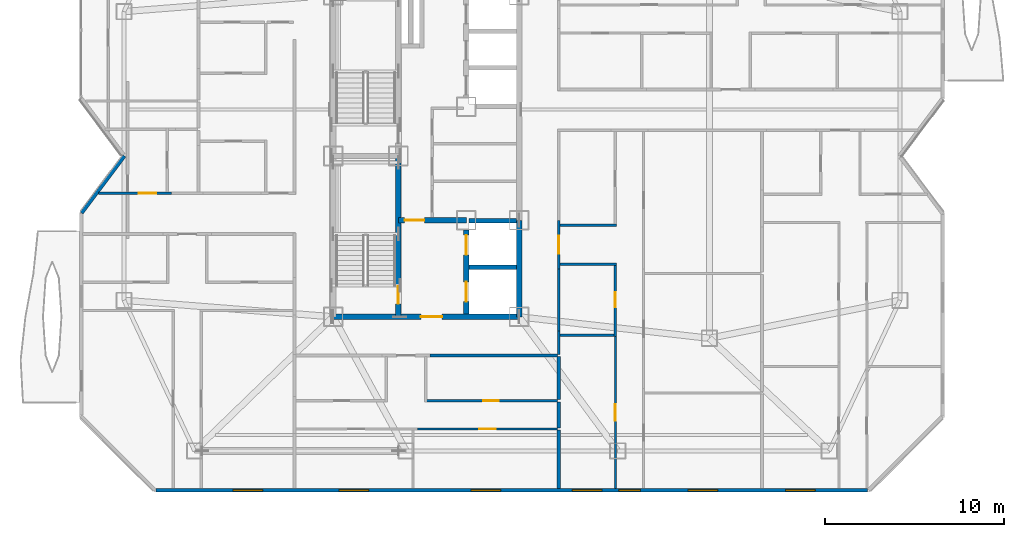
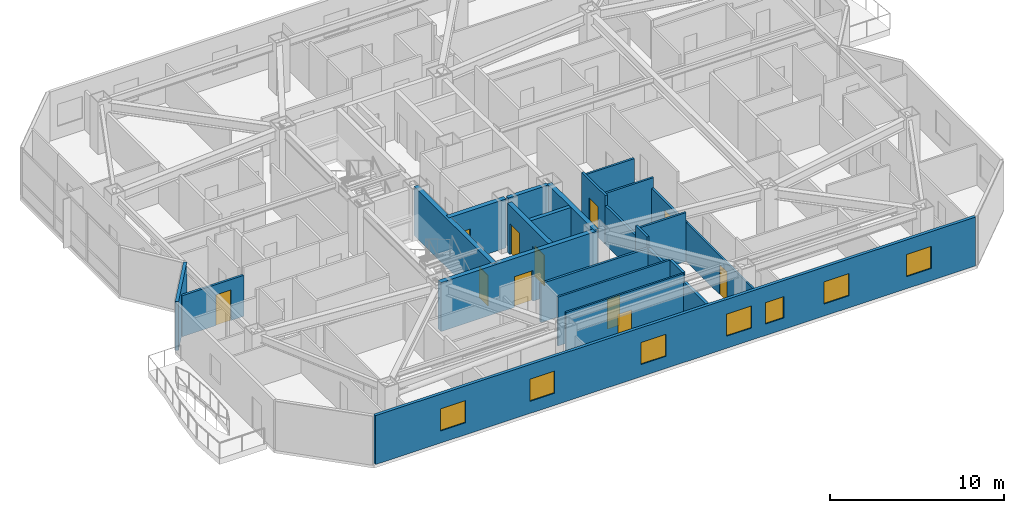
# One storey, part 12 of 18: 24 walls, 11 doors, 7 windows, 18 openings.
"""IFC4 building model written with IfcOpenShell, lengths in metres."""

from ifc_helpers import new_model, si_unit, direction, frame, frame_2d, origin, place, context, subcontext, project, spatial, rectangle, extrude, material, layer, layer_set, type_object, element, fill, save


model = new_model("IFC4")

# Units and contexts
model_context = context("Model", 3, precision=1e-05, world=origin(), true_north=direction((0.0, 1.0)))
body_context = subcontext(model_context, "Body", "Model", "MODEL_VIEW")
ifc_project = project(units=[si_unit("LENGTHUNIT", "METRE"), si_unit("AREAUNIT", "SQUARE_METRE"), si_unit("VOLUMEUNIT", "CUBIC_METRE"), si_unit("PLANEANGLEUNIT", "RADIAN"), si_unit("MASSUNIT", "GRAM", prefix="KILO")], contexts=[model_context])

# Site, building, storey
site_placement = place(None, origin())
site = spatial("IfcSite", under=ifc_project, at=site_placement, CompositionType="ELEMENT")
building_placement = place(site_placement, origin())
building = spatial("IfcBuilding", under=site, at=building_placement, Name="Khamvora Tower", CompositionType="ELEMENT")
storey_placement = place(building_placement, frame((0.0, 0.0, 181.449951171875)))
storey = spatial("IfcBuildingStorey", under=building, at=storey_placement, Name="L46", CompositionType="ELEMENT", Elevation=181.449951171875)

# Wall, opening, door
ifc_material_1 = material(Name="Concrete C50/60", Category="concrete")
ifc_layer_1 = layer(ifc_material_1, 0.300048828125)
ifc_layer_set_1 = layer_set([ifc_layer_1], Name="Concrete C50/60")
wall_type_1 = type_object("IfcWallType", Name="WAL-CORE-300", PredefinedType="SHEAR", material=ifc_layer_set_1)
wall_1_placement = place(storey_placement, frame((29.0, 19.0, 0.0), z_axis=(0.0, 0.0, 1.0), x_axis=(1.0, 0.0, 0.0)))
wall_1 = element("IfcWall", 1, at=wall_1_placement, inside=storey, type_object=wall_type_1, Name="L46 central core south wall", PredefinedType="SHEAR", context=body_context, shape_type="SweptSolid", body=[
    extrude(rectangle(XDim=10.39990234375, YDim=0.300048828125, at=frame_2d((5.199951171875, 0.0))), origin(), (0.0, 0.0, 1.0), 3.429931640625),
])
opening_1_placement = place(wall_1_placement, frame((4.89990234375, 0.0, 0.0)))
opening_1 = element("IfcOpeningElement", 2, at=opening_1_placement, cuts=wall_1, Name="Opening D-CR1", PredefinedType="OPENING", context=body_context, shape_type="SweptSolid", body=[
    extrude(rectangle(XDim=1.199951171875, YDim=2.14990234375, at=frame_2d((0.60009765625, 1.074951171875))), frame((0.0, 0.159912109375, 0.0), z_axis=(0.0, -1.0, 0.0), x_axis=(1.0, 0.0, 0.0)), (0.0, 0.0, 1.0), 0.320068359375),
])
ifc_material_2 = material(Name="Powder-Coated Steel and Hardwood Leaf", Category="steel")
door_type_1 = type_object("IfcDoorType", Name="DOR-CORR-1200", OperationType="NOTDEFINED", PredefinedType="DOOR", material=ifc_material_2)
door_1_placement = place(opening_1_placement, origin())
door_1 = element("IfcDoor", 3, at=door_1_placement, inside=storey, type_object=door_type_1, Name="L46 south core lobby to corridor fire door", OperationType="SINGLE_SWING_LEFT", OverallHeight=2.14990234375, OverallWidth=1.199951171875, PredefinedType="DOOR", context=body_context, shape_type="SweptSolid", body=[
    extrude(rectangle(XDim=1.199951171875, YDim=2.14990234375, at=frame_2d((0.60009765625, 1.074951171875))), frame((0.0, 0.02490234375, 0.0), z_axis=(0.0, -1.0, 0.0), x_axis=(1.0, 0.0, 0.0)), (0.0, 0.0, 1.0), 0.050048828125),
])
fill(opening_1, door_1)

# Wall
wall_2_placement = place(storey_placement, frame((39.39990234375, 19.0, 0.0), z_axis=(0.0, 0.0, 1.0), x_axis=(0.0, 1.0, 0.0)))
element("IfcWall", 4, at=wall_2_placement, inside=storey, type_object=wall_type_1, Name="L46 central core east south wall", PredefinedType="SHEAR", context=body_context, shape_type="SweptSolid", body=[
    extrude(rectangle(XDim=5.39990234375, YDim=0.300048828125, at=frame_2d((2.699951171875, 0.0))), origin(), (0.0, 0.0, 1.0), 3.429931640625),
])

# Wall, opening, door
wall_3_placement = place(storey_placement, frame((32.64990234375, 19.0, 0.0), z_axis=(0.0, 0.0, 1.0), x_axis=(0.0, 1.0, 0.0)))
wall_3 = element("IfcWall", 5, at=wall_3_placement, inside=storey, type_object=wall_type_1, Name="L46 central core stair south spine wall", PredefinedType="SHEAR", context=body_context, shape_type="SweptSolid", body=[
    extrude(rectangle(XDim=9.0, YDim=0.300048828125, at=frame_2d((4.5, 0.0))), origin(), (0.0, 0.0, 1.0), 3.429931640625),
])
opening_2_placement = place(wall_3_placement, frame((0.719970703125, 0.0, 0.0)))
opening_2 = element("IfcOpeningElement", 6, at=opening_2_placement, cuts=wall_3, Name="Opening D-ST1", PredefinedType="OPENING", context=body_context, shape_type="SweptSolid", body=[
    extrude(rectangle(XDim=1.0, YDim=2.14990234375, at=frame_2d((0.5, 1.074951171875))), frame((0.0, 0.159912109375, 0.0), z_axis=(0.0, -1.0, 0.0), x_axis=(1.0, 0.0, 0.0)), (0.0, 0.0, 1.0), 0.320068359375),
])
door_type_2 = type_object("IfcDoorType", Name="DOR-STAIR-1000", OperationType="NOTDEFINED", PredefinedType="DOOR", material=ifc_material_2)
door_2_placement = place(opening_2_placement, origin())
door_2 = element("IfcDoor", 7, at=door_2_placement, inside=storey, type_object=door_type_2, Name="L46 exit stair ST-01 fire door", OperationType="SINGLE_SWING_RIGHT", OverallHeight=2.14990234375, OverallWidth=1.0, PredefinedType="DOOR", context=body_context, shape_type="SweptSolid", body=[
    extrude(rectangle(XDim=1.0, YDim=2.14990234375, at=frame_2d((0.5, 1.074951171875))), frame((0.0, 0.02490234375, 0.0), z_axis=(0.0, -1.0, 0.0), x_axis=(1.0, 0.0, 0.0)), (0.0, 0.0, 1.0), 0.050048828125),
])
fill(opening_2, door_2)

wall_4_placement = place(storey_placement, frame((32.64990234375, 24.39990234375, 0.0), z_axis=(0.0, 0.0, 1.0), x_axis=(1.0, 0.0, 0.0)))
wall_4 = element("IfcWall", 8, at=wall_4_placement, inside=storey, type_object=wall_type_1, Name="L46 central core firefighting lobby north wall", PredefinedType="SHEAR", context=body_context, shape_type="SweptSolid", body=[
    extrude(rectangle(XDim=3.800048828125, YDim=0.300048828125, at=frame_2d((1.89990234375, 0.0))), origin(), (0.0, 0.0, 1.0), 3.429931640625),
])
opening_3_placement = place(wall_4_placement, frame((0.35009765625, 0.0, 0.0)))
opening_3 = element("IfcOpeningElement", 9, at=opening_3_placement, cuts=wall_4, Name="Opening D-FF1", PredefinedType="OPENING", context=body_context, shape_type="SweptSolid", body=[
    extrude(rectangle(XDim=1.10009765625, YDim=2.14990234375, at=frame_2d((0.550048828125, 1.074951171875))), frame((0.0, 0.159912109375, 0.0), z_axis=(0.0, -1.0, 0.0), x_axis=(1.0, 0.0, 0.0)), (0.0, 0.0, 1.0), 0.320068359375),
])
door_type_3 = type_object("IfcDoorType", Name="DOR-FFLOB-1100", OperationType="NOTDEFINED", PredefinedType="DOOR", material=ifc_material_2)
door_3_placement = place(opening_3_placement, origin())
door_3 = element("IfcDoor", 10, at=door_3_placement, inside=storey, type_object=door_type_3, Name="L46 firefighting lobby smoke-seal fire door", OperationType="SINGLE_SWING_RIGHT", OverallHeight=2.14990234375, OverallWidth=1.10009765625, PredefinedType="DOOR", context=body_context, shape_type="SweptSolid", body=[
    extrude(rectangle(XDim=1.10009765625, YDim=2.14990234375, at=frame_2d((0.550048828125, 1.074951171875))), frame((0.0, 0.02490234375, 0.0), z_axis=(0.0, -1.0, 0.0), x_axis=(1.0, 0.0, 0.0)), (0.0, 0.0, 1.0), 0.050048828125),
])
fill(opening_3, door_3)

# Wall, openings, doors
wall_5_placement = place(storey_placement, frame((36.449951171875, 19.154052734375, 0.0), z_axis=(0.0, 0.0, 1.0), x_axis=(0.0, 1.0, 0.0)))
wall_5 = element("IfcWall", 11, at=wall_5_placement, inside=storey, type_object=wall_type_1, Name="L46 central core lift bank south wall", PredefinedType="SHEAR", context=body_context, shape_type="SweptSolid", body=[
    extrude(rectangle(XDim=4.696044921875, YDim=0.300048828125, at=frame_2d((2.34814453125, 0.0))), origin(), (0.0, 0.0, 1.0), 3.429931640625),
])
opening_4_placement = place(wall_5_placement, frame((0.696044921875, 0.0, 0.0)))
opening_4 = element("IfcOpeningElement", 12, at=opening_4_placement, cuts=wall_5, Name="Opening LD-FFL", PredefinedType="OPENING", context=body_context, shape_type="SweptSolid", body=[
    extrude(rectangle(XDim=1.10009765625, YDim=2.14990234375, at=frame_2d((0.550048828125, 1.074951171875))), frame((0.0, 0.159912109375, 0.0), z_axis=(0.0, -1.0, 0.0), x_axis=(1.0, 0.0, 0.0)), (0.0, 0.0, 1.0), 0.320068359375),
])
opening_5_placement = place(wall_5_placement, frame((3.31591796875, 0.0, 0.0)))
opening_5 = element("IfcOpeningElement", 13, at=opening_5_placement, cuts=wall_5, Name="Opening LD-FFL", PredefinedType="OPENING", context=body_context, shape_type="SweptSolid", body=[
    extrude(rectangle(XDim=1.10009765625, YDim=2.14990234375, at=frame_2d((0.550048828125, 1.074951171875))), frame((0.0, 0.159912109375, 0.0), z_axis=(0.0, -1.0, 0.0), x_axis=(1.0, 0.0, 0.0)), (0.0, 0.0, 1.0), 0.320068359375),
])
door_type_4 = type_object("IfcDoorType", Name="DOR-LIFT-1100", OperationType="SLIDING_TO_LEFT", PredefinedType="DOOR", material=ifc_material_2)
door_4_placement = place(opening_4_placement, origin())
door_4 = element("IfcDoor", 14, at=door_4_placement, inside=storey, type_object=door_type_4, Name="L46 lift landing sliding door FFL-01", OperationType="SLIDING_TO_LEFT", OverallHeight=2.14990234375, OverallWidth=1.10009765625, PredefinedType="DOOR", context=body_context, shape_type="SweptSolid", body=[
    extrude(rectangle(XDim=1.10009765625, YDim=2.14990234375, at=frame_2d((0.550048828125, 1.074951171875))), frame((0.0, 0.02490234375, 0.0), z_axis=(0.0, -1.0, 0.0), x_axis=(1.0, 0.0, 0.0)), (0.0, 0.0, 1.0), 0.050048828125),
])
fill(opening_4, door_4)
door_5_placement = place(opening_5_placement, origin())
door_5 = element("IfcDoor", 15, at=door_5_placement, inside=storey, type_object=door_type_4, Name="L46 lift landing sliding door FFL-02", OperationType="SLIDING_TO_LEFT", OverallHeight=2.14990234375, OverallWidth=1.10009765625, PredefinedType="DOOR", context=body_context, shape_type="SweptSolid", body=[
    extrude(rectangle(XDim=1.10009765625, YDim=2.14990234375, at=frame_2d((0.550048828125, 1.074951171875))), frame((0.0, 0.02490234375, 0.0), z_axis=(0.0, -1.0, 0.0), x_axis=(1.0, 0.0, 0.0)), (0.0, 0.0, 1.0), 0.050048828125),
])
fill(opening_5, door_5)

# Wall, opening, door
ifc_material_3 = material(Name="Fire-Rated Drywall and Steel Stud", Category="steel")
ifc_layer_2 = layer(ifc_material_3, 0.14990234375)
ifc_layer_set_2 = layer_set([ifc_layer_2], Name="Fire-Rated Drywall and Steel Stud")
wall_type_2 = type_object("IfcWallType", Name="WAL-CORR-150", PredefinedType="STANDARD", material=ifc_layer_set_2)
wall_6_placement = place(storey_placement, frame((15.8759765625, 25.9150390625, 0.0), z_axis=(0.0, 0.0, 1.0), x_axis=(1.0, 0.0, 0.0)))
wall_6 = element("IfcWall", 16, at=wall_6_placement, inside=storey, type_object=wall_type_2, Name="L46 interior partition wall 014", PredefinedType="STANDARD", context=body_context, shape_type="SweptSolid", body=[
    extrude(rectangle(XDim=4.089111328125, YDim=0.14990234375, at=frame_2d((2.04443359375, 0.0))), origin(), (0.0, 0.0, 1.0), 2.8759765625),
])
opening_6_placement = place(wall_6_placement, frame((2.239990234375, 0.0, 0.0)))
opening_6 = element("IfcOpeningElement", 17, at=opening_6_placement, cuts=wall_6, Name="Opening D-U1", PredefinedType="OPENING", context=body_context, shape_type="SweptSolid", body=[
    extrude(rectangle(XDim=1.0, YDim=2.14990234375, at=frame_2d((0.5, 1.074951171875))), frame((0.0, 0.0849609375, 0.0), z_axis=(0.0, -1.0, 0.0), x_axis=(1.0, 0.0, 0.0)), (0.0, 0.0, 1.0), 0.169921875),
])
door_type_5 = type_object("IfcDoorType", Name="DOR-UNIT-1000", OperationType="NOTDEFINED", PredefinedType="DOOR", material=ifc_material_2)
door_6_placement = place(opening_6_placement, origin())
door_6 = element("IfcDoor", 18, at=door_6_placement, inside=storey, type_object=door_type_5, Name="L46 interior door COR-46WBH", OperationType="SINGLE_SWING_RIGHT", OverallHeight=2.14990234375, OverallWidth=1.0, PredefinedType="DOOR", context=body_context, shape_type="SweptSolid", body=[
    extrude(rectangle(XDim=1.0, YDim=2.14990234375, at=frame_2d((0.5, 1.074951171875))), frame((0.0, 0.02490234375, 0.0), z_axis=(0.0, -1.0, 0.0), x_axis=(1.0, 0.0, 0.0)), (0.0, 0.0, 1.0), 0.050048828125),
])
fill(opening_6, door_6)

# Walls
wall_7_placement = place(storey_placement, frame((41.550048828125, 16.8349609375, 0.0), z_axis=(0.0, 0.0, 1.0), x_axis=(-1.0, 0.0, 0.0)))
element("IfcWall", 19, at=wall_7_placement, inside=storey, type_object=wall_type_2, Name="L46 interior partition wall 021", PredefinedType="STANDARD", context=body_context, shape_type="SweptSolid", body=[
    extrude(rectangle(XDim=7.1259765625, YDim=0.14990234375, at=frame_2d((3.56298828125, 0.0))), origin(), (0.0, 0.0, 1.0), 2.72509765625),
])
wall_8_placement = place(storey_placement, frame((41.614990234375, 18.218017578125, 0.0), z_axis=(0.0, 0.0, 1.0), x_axis=(0.0, -1.0, 0.0)))
element("IfcWall", 20, at=wall_8_placement, inside=storey, type_object=wall_type_2, Name="L46 interior partition wall 025", PredefinedType="STANDARD", context=body_context, shape_type="SweptSolid", body=[
    extrude(rectangle(XDim=1.318115234375, YDim=0.14990234375, at=frame_2d((0.6591796875, 0.0))), origin(), (0.0, 0.0, 1.0), 3.429931640625),
])

# Wall, opening, door
wall_9_placement = place(storey_placement, frame((41.614990234375, 24.383056640625, 0.0), z_axis=(0.0, 0.0, 1.0), x_axis=(0.0, -1.0, 0.0)))
wall_9 = element("IfcWall", 21, at=wall_9_placement, inside=storey, type_object=wall_type_2, Name="L46 interior partition wall 027", PredefinedType="STANDARD", context=body_context, shape_type="SweptSolid", body=[
    extrude(rectangle(XDim=2.697998046875, YDim=0.14990234375, at=frame_2d((1.34912109375, 0.0))), origin(), (0.0, 0.0, 1.0), 3.429931640625),
])
opening_7_placement = place(wall_9_placement, frame((0.84912109375, 0.0, 0.0)))
opening_7 = element("IfcOpeningElement", 22, at=opening_7_placement, cuts=wall_9, Name="Opening D-U1", PredefinedType="OPENING", context=body_context, shape_type="SweptSolid", body=[
    extrude(rectangle(XDim=1.0, YDim=2.14990234375, at=frame_2d((0.5, 1.074951171875))), frame((0.0, 0.0849609375, 0.0), z_axis=(0.0, -1.0, 0.0), x_axis=(1.0, 0.0, 0.0)), (0.0, 0.0, 1.0), 0.169921875),
])
door_7_placement = place(opening_7_placement, origin())
door_7 = element("IfcDoor", 23, at=door_7_placement, inside=storey, type_object=door_type_5, Name="L46 interior door COR-46EAH", OperationType="SINGLE_SWING_RIGHT", OverallHeight=2.14990234375, OverallWidth=1.0, PredefinedType="DOOR", context=body_context, shape_type="SweptSolid", body=[
    extrude(rectangle(XDim=1.0, YDim=2.14990234375, at=frame_2d((0.5, 1.074951171875))), frame((0.0, 0.02490234375, 0.0), z_axis=(0.0, -1.0, 0.0), x_axis=(1.0, 0.0, 0.0)), (0.0, 0.0, 1.0), 0.050048828125),
])
fill(opening_7, door_7)

# Walls
wall_10_placement = place(storey_placement, frame((41.614990234375, 21.68505859375, 0.0), z_axis=(0.0, 0.0, 1.0), x_axis=(0.0, -1.0, 0.0)))
element("IfcWall", 24, at=wall_10_placement, inside=storey, type_object=wall_type_2, Name="L46 interior partition wall 028", PredefinedType="STANDARD", context=body_context, shape_type="SweptSolid", body=[
    extrude(rectangle(XDim=3.467041015625, YDim=0.14990234375, at=frame_2d((1.7333984375, 0.0))), origin(), (0.0, 0.0, 1.0), 2.72509765625),
])
ifc_material_4 = material(Name="Acoustic Double-Stud Fire Wall", Category="gypsum")
ifc_layer_3 = layer(ifc_material_4, 0.179931640625)
ifc_layer_set_3 = layer_set([ifc_layer_3], Name="Acoustic Double-Stud Fire Wall")
wall_type_3 = type_object("IfcWallType", Name="WAL-CORR-180", PredefinedType="STANDARD", material=ifc_layer_set_3)
wall_11_placement = place(storey_placement, frame((41.614990234375, 14.239990234375, 0.0), z_axis=(0.0, 0.0, 1.0), x_axis=(0.0, -1.0, 0.0)))
element("IfcWall", 25, at=wall_11_placement, inside=storey, type_object=wall_type_3, Name="L46 interior partition wall 085", PredefinedType="STANDARD", context=body_context, shape_type="SweptSolid", body=[
    extrude(rectangle(XDim=1.449951171875, YDim=0.179931640625, at=frame_2d((0.72509765625, 0.0))), origin(), (0.0, 0.0, 1.0), 3.429931640625),
])
wall_12_placement = place(storey_placement, frame((41.614990234375, 16.77001953125, 0.0), z_axis=(0.0, 0.0, 1.0), x_axis=(0.0, -1.0, 0.0)))
element("IfcWall", 26, at=wall_12_placement, inside=storey, type_object=wall_type_3, Name="L46 interior partition wall 086", PredefinedType="STANDARD", context=body_context, shape_type="SweptSolid", body=[
    extrude(rectangle(XDim=2.39990234375, YDim=0.179931640625, at=frame_2d((1.199951171875, 0.0))), origin(), (0.0, 0.0, 1.0), 2.72509765625),
])
wall_13_placement = place(storey_placement, frame((41.614990234375, 12.659912109375, 0.0), z_axis=(0.0, 0.0, 1.0), x_axis=(0.0, -1.0, 0.0)))
element("IfcWall", 27, at=wall_13_placement, inside=storey, type_object=wall_type_3, Name="L46 interior partition wall 088", PredefinedType="STANDARD", context=body_context, shape_type="SweptSolid", body=[
    extrude(rectangle(XDim=3.267822265625, YDim=0.179931640625, at=frame_2d((1.6337890625, 0.0))), origin(), (0.0, 0.0, 1.0), 2.8759765625),
])
ifc_material_5 = material(Name="Precast concrete C40/50", Category="concrete")
ifc_layer_4 = layer(ifc_material_5, 0.199951171875)
ifc_layer_set_4 = layer_set([ifc_layer_4], Name="Precast concrete C40/50")
wall_type_4 = type_object("IfcWallType", Name="WAL-EXT-200", PredefinedType="STANDARD", material=ifc_layer_set_4)
wall_14_placement = place(storey_placement, frame((14.929931640625, 24.806884765625, 0.0), z_axis=(0.0, 0.0, 1.0), x_axis=(0.600029358831, 0.799977980035, 0.0)))
element("IfcWall", 28, at=wall_14_placement, inside=storey, type_object=wall_type_4, Name="L46 exterior facade wall 03.1", PredefinedType="STANDARD", context=body_context, shape_type="SweptSolid", body=[
    extrude(rectangle(XDim=3.991455078125, YDim=0.199951171875, at=frame_2d((1.99560546875, 0.0))), origin(), (0.0, 0.0, 1.0), 3.429931640625),
])

# Wall, openings, windows
wall_15_placement = place(storey_placement, frame((58.89599609375, 9.300048828125, 0.0), z_axis=(0.0, 0.0, 1.0), x_axis=(-1.0, 0.0, 0.0)))
wall_15 = element("IfcWall", 29, at=wall_15_placement, inside=storey, type_object=wall_type_4, Name="L46 exterior facade wall 14.1", PredefinedType="STANDARD", context=body_context, shape_type="SweptSolid", body=[
    extrude(rectangle(XDim=39.79296875, YDim=0.199951171875, at=frame_2d((19.896484375, 0.0))), origin(), (0.0, 0.0, 1.0), 3.429931640625),
])
opening_8_placement = place(wall_15_placement, frame((33.841064453125, 0.0, 0.85009765625)))
opening_8 = element("IfcOpeningElement", 30, at=opening_8_placement, cuts=wall_15, Name="Opening WN-06", PredefinedType="OPENING", context=body_context, shape_type="SweptSolid", body=[
    extrude(rectangle(XDim=1.64990234375, YDim=1.550048828125, at=frame_2d((0.824951171875, 0.77490234375))), frame((0.0, 0.10986328125, 0.0), z_axis=(0.0, -1.0, 0.0), x_axis=(1.0, 0.0, 0.0)), (0.0, 0.0, 1.0), 0.219970703125),
])
opening_9_placement = place(wall_15_placement, frame((27.9189453125, 0.0, 0.85009765625)))
opening_9 = element("IfcOpeningElement", 31, at=opening_9_placement, cuts=wall_15, Name="Opening WN-06", PredefinedType="OPENING", context=body_context, shape_type="SweptSolid", body=[
    extrude(rectangle(XDim=1.64990234375, YDim=1.550048828125, at=frame_2d((0.824951171875, 0.77490234375))), frame((0.0, 0.10986328125, 0.0), z_axis=(0.0, -1.0, 0.0), x_axis=(1.0, 0.0, 0.0)), (0.0, 0.0, 1.0), 0.219970703125),
])
opening_10_placement = place(wall_15_placement, frame((20.529052734375, 0.0, 0.85009765625)))
opening_10 = element("IfcOpeningElement", 32, at=opening_10_placement, cuts=wall_15, Name="Opening WN-06", PredefinedType="OPENING", context=body_context, shape_type="SweptSolid", body=[
    extrude(rectangle(XDim=1.64990234375, YDim=1.550048828125, at=frame_2d((0.824951171875, 0.77490234375))), frame((0.0, 0.10986328125, 0.0), z_axis=(0.0, -1.0, 0.0), x_axis=(1.0, 0.0, 0.0)), (0.0, 0.0, 1.0), 0.219970703125),
])
opening_11_placement = place(wall_15_placement, frame((14.868896484375, 0.0, 0.85009765625)))
opening_11 = element("IfcOpeningElement", 33, at=opening_11_placement, cuts=wall_15, Name="Opening WN-06", PredefinedType="OPENING", context=body_context, shape_type="SweptSolid", body=[
    extrude(rectangle(XDim=1.64990234375, YDim=1.550048828125, at=frame_2d((0.824951171875, 0.77490234375))), frame((0.0, 0.10986328125, 0.0), z_axis=(0.0, -1.0, 0.0), x_axis=(1.0, 0.0, 0.0)), (0.0, 0.0, 1.0), 0.219970703125),
])
opening_12_placement = place(wall_15_placement, frame((12.718017578125, 0.0, 0.800048828125)))
opening_12 = element("IfcOpeningElement", 34, at=opening_12_placement, cuts=wall_15, Name="Opening WN-03", PredefinedType="OPENING", context=body_context, shape_type="SweptSolid", body=[
    extrude(rectangle(XDim=1.199951171875, YDim=1.5, at=frame_2d((0.60009765625, 0.75))), frame((0.0, 0.10986328125, 0.0), z_axis=(0.0, -1.0, 0.0), x_axis=(1.0, 0.0, 0.0)), (0.0, 0.0, 1.0), 0.219970703125),
])
opening_13_placement = place(wall_15_placement, frame((8.39404296875, 0.0, 0.85009765625)))
opening_13 = element("IfcOpeningElement", 35, at=opening_13_placement, cuts=wall_15, Name="Opening WN-06", PredefinedType="OPENING", context=body_context, shape_type="SweptSolid", body=[
    extrude(rectangle(XDim=1.64990234375, YDim=1.550048828125, at=frame_2d((0.824951171875, 0.77490234375))), frame((0.0, 0.10986328125, 0.0), z_axis=(0.0, -1.0, 0.0), x_axis=(1.0, 0.0, 0.0)), (0.0, 0.0, 1.0), 0.219970703125),
])
opening_14_placement = place(wall_15_placement, frame((2.93603515625, 0.0, 0.85009765625)))
opening_14 = element("IfcOpeningElement", 36, at=opening_14_placement, cuts=wall_15, Name="Opening WN-06", PredefinedType="OPENING", context=body_context, shape_type="SweptSolid", body=[
    extrude(rectangle(XDim=1.64990234375, YDim=1.550048828125, at=frame_2d((0.824951171875, 0.77490234375))), frame((0.0, 0.10986328125, 0.0), z_axis=(0.0, -1.0, 0.0), x_axis=(1.0, 0.0, 0.0)), (0.0, 0.0, 1.0), 0.219970703125),
])
ifc_material_6 = material(Name="Low-E Laminated Double Glazing", Category="glass")
window_type_1 = type_object("IfcWindowType", Name="WIN-VIS-1200x1500", PartitioningType="SINGLE_PANEL", PredefinedType="WINDOW", material=ifc_material_6)
window_1_placement = place(opening_12_placement, origin())
window_1 = element("IfcWindow", 37, at=window_1_placement, inside=storey, type_object=window_type_1, Name="L46 vision window 14.1.05", OverallHeight=1.5, OverallWidth=1.199951171875, PartitioningType="SINGLE_PANEL", PredefinedType="WINDOW", context=body_context, shape_type="SweptSolid", body=[
    extrude(rectangle(XDim=1.199951171875, YDim=1.5, at=frame_2d((0.60009765625, 0.75))), frame((0.0, 0.030029296875, 0.0), z_axis=(0.0, -1.0, 0.0), x_axis=(1.0, 0.0, 0.0)), (0.0, 0.0, 1.0), 0.06005859375),
])
fill(opening_12, window_1)
window_type_2 = type_object("IfcWindowType", Name="WIN-VIS-1650x1550", PartitioningType="SINGLE_PANEL", PredefinedType="WINDOW", material=ifc_material_6)
window_2_placement = place(opening_8_placement, origin())
window_2 = element("IfcWindow", 38, at=window_2_placement, inside=storey, type_object=window_type_2, Name="L46 vision window 14.1.01", OverallHeight=1.550048828125, OverallWidth=1.64990234375, PartitioningType="SINGLE_PANEL", PredefinedType="WINDOW", context=body_context, shape_type="SweptSolid", body=[
    extrude(rectangle(XDim=1.64990234375, YDim=1.550048828125, at=frame_2d((0.824951171875, 0.77490234375))), frame((0.0, 0.030029296875, 0.0), z_axis=(0.0, -1.0, 0.0), x_axis=(1.0, 0.0, 0.0)), (0.0, 0.0, 1.0), 0.06005859375),
])
fill(opening_8, window_2)
window_3_placement = place(opening_9_placement, origin())
window_3 = element("IfcWindow", 39, at=window_3_placement, inside=storey, type_object=window_type_2, Name="L46 vision window 14.1.02", OverallHeight=1.550048828125, OverallWidth=1.64990234375, PartitioningType="SINGLE_PANEL", PredefinedType="WINDOW", context=body_context, shape_type="SweptSolid", body=[
    extrude(rectangle(XDim=1.64990234375, YDim=1.550048828125, at=frame_2d((0.824951171875, 0.77490234375))), frame((0.0, 0.030029296875, 0.0), z_axis=(0.0, -1.0, 0.0), x_axis=(1.0, 0.0, 0.0)), (0.0, 0.0, 1.0), 0.06005859375),
])
fill(opening_9, window_3)
window_4_placement = place(opening_10_placement, origin())
window_4 = element("IfcWindow", 40, at=window_4_placement, inside=storey, type_object=window_type_2, Name="L46 vision window 14.1.03", OverallHeight=1.550048828125, OverallWidth=1.64990234375, PartitioningType="SINGLE_PANEL", PredefinedType="WINDOW", context=body_context, shape_type="SweptSolid", body=[
    extrude(rectangle(XDim=1.64990234375, YDim=1.550048828125, at=frame_2d((0.824951171875, 0.77490234375))), frame((0.0, 0.030029296875, 0.0), z_axis=(0.0, -1.0, 0.0), x_axis=(1.0, 0.0, 0.0)), (0.0, 0.0, 1.0), 0.06005859375),
])
fill(opening_10, window_4)
window_5_placement = place(opening_11_placement, origin())
window_5 = element("IfcWindow", 41, at=window_5_placement, inside=storey, type_object=window_type_2, Name="L46 vision window 14.1.04", OverallHeight=1.550048828125, OverallWidth=1.64990234375, PartitioningType="SINGLE_PANEL", PredefinedType="WINDOW", context=body_context, shape_type="SweptSolid", body=[
    extrude(rectangle(XDim=1.64990234375, YDim=1.550048828125, at=frame_2d((0.824951171875, 0.77490234375))), frame((0.0, 0.030029296875, 0.0), z_axis=(0.0, -1.0, 0.0), x_axis=(1.0, 0.0, 0.0)), (0.0, 0.0, 1.0), 0.06005859375),
])
fill(opening_11, window_5)
window_6_placement = place(opening_13_placement, origin())
window_6 = element("IfcWindow", 42, at=window_6_placement, inside=storey, type_object=window_type_2, Name="L46 vision window 14.1.06", OverallHeight=1.550048828125, OverallWidth=1.64990234375, PartitioningType="SINGLE_PANEL", PredefinedType="WINDOW", context=body_context, shape_type="SweptSolid", body=[
    extrude(rectangle(XDim=1.64990234375, YDim=1.550048828125, at=frame_2d((0.824951171875, 0.77490234375))), frame((0.0, 0.030029296875, 0.0), z_axis=(0.0, -1.0, 0.0), x_axis=(1.0, 0.0, 0.0)), (0.0, 0.0, 1.0), 0.06005859375),
])
fill(opening_13, window_6)
window_7_placement = place(opening_14_placement, origin())
window_7 = element("IfcWindow", 43, at=window_7_placement, inside=storey, type_object=window_type_2, Name="L46 vision window 14.1.07", OverallHeight=1.550048828125, OverallWidth=1.64990234375, PartitioningType="SINGLE_PANEL", PredefinedType="WINDOW", context=body_context, shape_type="SweptSolid", body=[
    extrude(rectangle(XDim=1.64990234375, YDim=1.550048828125, at=frame_2d((0.824951171875, 0.77490234375))), frame((0.0, 0.030029296875, 0.0), z_axis=(0.0, -1.0, 0.0), x_axis=(1.0, 0.0, 0.0)), (0.0, 0.0, 1.0), 0.06005859375),
])
fill(opening_14, window_7)

# Wall, opening, door
ifc_material_7 = material(Name="Gypsum Plasterboard Partition", Category="gypsum")
ifc_layer_5 = layer(ifc_material_7, 0.1201171875)
ifc_layer_set_5 = layer_set([ifc_layer_5], Name="Gypsum Plasterboard Partition")
wall_type_5 = type_object("IfcWallType", Name="WAL-PART-120", PredefinedType="PARTITIONING", material=ifc_layer_set_5)
wall_16_placement = place(storey_placement, frame((41.550048828125, 12.72509765625, 0.0), z_axis=(0.0, 0.0, 1.0), x_axis=(-1.0, 0.0, 0.0)))
wall_16 = element("IfcWall", 44, at=wall_16_placement, inside=storey, type_object=wall_type_5, Name="L46 interior partition wall 084", PredefinedType="PARTITIONING", context=body_context, shape_type="SweptSolid", body=[
    extrude(rectangle(XDim=7.8310546875, YDim=0.1201171875, at=frame_2d((3.91552734375, 0.0))), origin(), (0.0, 0.0, 1.0), 3.429931640625),
])
opening_15_placement = place(wall_16_placement, frame((3.466064453125, 0.0, 0.0)))
opening_15 = element("IfcOpeningElement", 45, at=opening_15_placement, cuts=wall_16, Name="Opening D-RM1", PredefinedType="OPENING", context=body_context, shape_type="SweptSolid", body=[
    extrude(rectangle(XDim=0.89990234375, YDim=2.10009765625, at=frame_2d((0.449951171875, 1.050048828125))), frame((0.0, 0.070068359375, 0.0), z_axis=(0.0, -1.0, 0.0), x_axis=(1.0, 0.0, 0.0)), (0.0, 0.0, 1.0), 0.14013671875),
])
door_type_6 = type_object("IfcDoorType", Name="DOR-ROOM-900", OperationType="NOTDEFINED", PredefinedType="DOOR", material=ifc_material_2)
door_8_placement = place(opening_15_placement, origin())
door_8 = element("IfcDoor", 46, at=door_8_placement, inside=storey, type_object=door_type_6, Name="L46 interior door 46SAH-46SAR2", OperationType="SINGLE_SWING_RIGHT", OverallHeight=2.10009765625, OverallWidth=0.89990234375, PredefinedType="DOOR", context=body_context, shape_type="SweptSolid", body=[
    extrude(rectangle(XDim=0.89990234375, YDim=2.10009765625, at=frame_2d((0.449951171875, 1.050048828125))), frame((0.0, 0.02490234375, 0.0), z_axis=(0.0, -1.0, 0.0), x_axis=(1.0, 0.0, 0.0)), (0.0, 0.0, 1.0), 0.050048828125),
])
fill(opening_15, door_8)

wall_17_placement = place(storey_placement, frame((44.7880859375, 17.904052734375, 0.0), z_axis=(0.0, 0.0, 1.0), x_axis=(0.0, -1.0, 0.0)))
wall_17 = element("IfcWall", 47, at=wall_17_placement, inside=storey, type_object=wall_type_5, Name="L46 interior partition wall 098", PredefinedType="PARTITIONING", context=body_context, shape_type="SweptSolid", body=[
    extrude(rectangle(XDim=8.511962890625, YDim=0.1201171875, at=frame_2d((4.255859375, 0.0))), origin(), (0.0, 0.0, 1.0), 2.72509765625),
])
opening_16_placement = place(wall_17_placement, frame((3.805908203125, 0.0, 0.0)))
opening_16 = element("IfcOpeningElement", 48, at=opening_16_placement, cuts=wall_17, Name="Opening D-RM1", PredefinedType="OPENING", context=body_context, shape_type="SweptSolid", body=[
    extrude(rectangle(XDim=0.89990234375, YDim=2.10009765625, at=frame_2d((0.449951171875, 1.050048828125))), frame((0.0, 0.070068359375, 0.0), z_axis=(0.0, -1.0, 0.0), x_axis=(1.0, 0.0, 0.0)), (0.0, 0.0, 1.0), 0.14013671875),
])
door_9_placement = place(opening_16_placement, origin())
door_9 = element("IfcDoor", 49, at=door_9_placement, inside=storey, type_object=door_type_6, Name="L46 interior door 46EAW1-46EAH", OperationType="SINGLE_SWING_RIGHT", OverallHeight=2.10009765625, OverallWidth=0.89990234375, PredefinedType="DOOR", context=body_context, shape_type="SweptSolid", body=[
    extrude(rectangle(XDim=0.89990234375, YDim=2.10009765625, at=frame_2d((0.449951171875, 1.050048828125))), frame((0.0, 0.02490234375, 0.0), z_axis=(0.0, -1.0, 0.0), x_axis=(1.0, 0.0, 0.0)), (0.0, 0.0, 1.0), 0.050048828125),
])
fill(opening_16, door_9)

# Walls
ifc_material_8 = material(Name="Concrete C40/50", Category="concrete")
ifc_layer_6 = layer(ifc_material_8, 0.25)
ifc_layer_set_6 = layer_set([ifc_layer_6], Name="Concrete C40/50")
wall_type_6 = type_object("IfcWallType", Name="WAL-PODS-250", PredefinedType="SHEAR", material=ifc_layer_set_6)
for number, where, z_axis, x_axis, name in (
    (50, (36.60400390625, 21.77490234375, 0.0), (0.0, 0.0, 1.0), (1.0, 0.0, 0.0), "L46 lift shaft divider wall FFL-01"),
    (51, (36.60400390625, 24.375, 0.0), (0.0, 0.0, 1.0), (1.0, 0.0, 0.0), "L46 lift shaft divider wall FFL-02"),
):
    element("IfcWall", number, at=place(storey_placement, frame(where, z_axis=z_axis, x_axis=x_axis)), inside=storey, type_object=wall_type_6, Name=name, PredefinedType="SHEAR", context=body_context, shape_type="SweptSolid", body=[
        extrude(rectangle(XDim=2.64208984375, YDim=0.25, at=frame_2d((1.321044921875, 0.0))), origin(), (0.0, 0.0, 1.0), 3.429931640625),
    ])

# Wall, opening, door
ifc_material_9 = material(Name="Moisture-Resistant Plasterboard Partition", Category="gypsum")
ifc_layer_7 = layer(ifc_material_9, 0.135009765625)
ifc_layer_set_7 = layer_set([ifc_layer_7], Name="Moisture-Resistant Plasterboard Partition")
wall_type_7 = type_object("IfcWallType", Name="WAL-WET-135", PredefinedType="PARTITIONING", material=ifc_layer_set_7)
wall_18_placement = place(storey_placement, frame((34.110107421875, 14.304931640625, 0.0), z_axis=(0.0, 0.0, 1.0), x_axis=(1.0, 0.0, 0.0)))
wall_18 = element("IfcWall", 52, at=wall_18_placement, inside=storey, type_object=wall_type_7, Name="L46 interior partition wall 082", PredefinedType="PARTITIONING", context=body_context, shape_type="SweptSolid", body=[
    extrude(rectangle(XDim=7.43994140625, YDim=0.135009765625, at=frame_2d((3.719970703125, 0.0))), origin(), (0.0, 0.0, 1.0), 3.429931640625),
])
opening_17_placement = place(wall_18_placement, frame((3.294921875, 0.0, 0.0)))
opening_17 = element("IfcOpeningElement", 53, at=opening_17_placement, cuts=wall_18, Name="Opening D-RM2", PredefinedType="OPENING", context=body_context, shape_type="SweptSolid", body=[
    extrude(rectangle(XDim=0.85009765625, YDim=2.10009765625, at=frame_2d((0.425048828125, 1.050048828125))), frame((0.0, 0.077392578125, 0.0), z_axis=(0.0, -1.0, 0.0), x_axis=(1.0, 0.0, 0.0)), (0.0, 0.0, 1.0), 0.155029296875),
])
door_type_7 = type_object("IfcDoorType", Name="DOR-ROOM-850", OperationType="NOTDEFINED", PredefinedType="DOOR", material=ifc_material_2)
door_10_placement = place(opening_17_placement, origin())
door_10 = element("IfcDoor", 54, at=door_10_placement, inside=storey, type_object=door_type_7, Name="L46 interior door 46SAH-46SAK", OperationType="SINGLE_SWING_RIGHT", OverallHeight=2.10009765625, OverallWidth=0.85009765625, PredefinedType="DOOR", context=body_context, shape_type="SweptSolid", body=[
    extrude(rectangle(XDim=0.85009765625, YDim=2.10009765625, at=frame_2d((0.425048828125, 1.050048828125))), frame((0.0, 0.02490234375, 0.0), z_axis=(0.0, -1.0, 0.0), x_axis=(1.0, 0.0, 0.0)), (0.0, 0.0, 1.0), 0.050048828125),
])
fill(opening_17, door_10)

# Wall
wall_19_placement = place(storey_placement, frame((41.681884765625, 17.968994140625, 0.0), z_axis=(0.0, 0.0, 1.0), x_axis=(1.0, 0.0, 0.0)))
element("IfcWall", 55, at=wall_19_placement, inside=storey, type_object=wall_type_7, Name="L46 interior partition wall 099", PredefinedType="PARTITIONING", context=body_context, shape_type="SweptSolid", body=[
    extrude(rectangle(XDim=3.041015625, YDim=0.135009765625, at=frame_2d((1.5205078125, 0.0))), origin(), (0.0, 0.0, 1.0), 3.429931640625),
])

# Wall, opening, door
wall_20_placement = place(storey_placement, frame((44.7880859375, 17.904052734375, 0.0), z_axis=(0.0, 0.0, 1.0), x_axis=(0.0, 1.0, 0.0)))
wall_20 = element("IfcWall", 56, at=wall_20_placement, inside=storey, type_object=wall_type_7, Name="L46 interior partition wall 100", PredefinedType="PARTITIONING", context=body_context, shape_type="SweptSolid", body=[
    extrude(rectangle(XDim=4.094970703125, YDim=0.135009765625, at=frame_2d((2.04736328125, 0.0))), origin(), (0.0, 0.0, 1.0), 2.72509765625),
])
opening_18_placement = place(wall_20_placement, frame((1.6220703125, 0.0, 0.0)))
opening_18 = element("IfcOpeningElement", 57, at=opening_18_placement, cuts=wall_20, Name="Opening D-WC1", PredefinedType="OPENING", context=body_context, shape_type="SweptSolid", body=[
    extrude(rectangle(XDim=0.85009765625, YDim=2.10009765625, at=frame_2d((0.425048828125, 1.050048828125))), frame((0.0, 0.077392578125, 0.0), z_axis=(0.0, -1.0, 0.0), x_axis=(1.0, 0.0, 0.0)), (0.0, 0.0, 1.0), 0.155029296875),
])
door_type_8 = type_object("IfcDoorType", Name="DOR-WET-850", OperationType="NOTDEFINED", PredefinedType="DOOR", material=ifc_material_2)
door_11_placement = place(opening_18_placement, origin())
door_11 = element("IfcDoor", 58, at=door_11_placement, inside=storey, type_object=door_type_8, Name="L46 interior door 46EAH-46EAB", OperationType="SINGLE_SWING_LEFT", OverallHeight=2.10009765625, OverallWidth=0.85009765625, PredefinedType="DOOR", context=body_context, shape_type="SweptSolid", body=[
    extrude(rectangle(XDim=0.85009765625, YDim=2.10009765625, at=frame_2d((0.425048828125, 1.050048828125))), frame((0.0, 0.02490234375, 0.0), z_axis=(0.0, -1.0, 0.0), x_axis=(1.0, 0.0, 0.0)), (0.0, 0.0, 1.0), 0.050048828125),
])
fill(opening_18, door_11)

# Walls
for number, where, z_axis, x_axis, name in (
    (59, (44.85302734375, 21.93408203125, 0.0), (0.0, 0.0, 1.0), (-1.0, 0.0, 0.0), "L46 interior partition wall 101"),
    (60, (41.681884765625, 24.134033203125, 0.0), (0.0, 0.0, 1.0), (1.0, 0.0, 0.0), "L46 interior partition wall 102"),
):
    element("IfcWall", number, at=place(storey_placement, frame(where, z_axis=z_axis, x_axis=x_axis)), inside=storey, type_object=wall_type_7, Name=name, PredefinedType="PARTITIONING", context=body_context, shape_type="SweptSolid", body=[
        extrude(rectangle(XDim=3.171142578125, YDim=0.135009765625, at=frame_2d((1.58544921875, 0.0))), origin(), (0.0, 0.0, 1.0), 3.429931640625),
    ])

save(model, "model.ifc")
